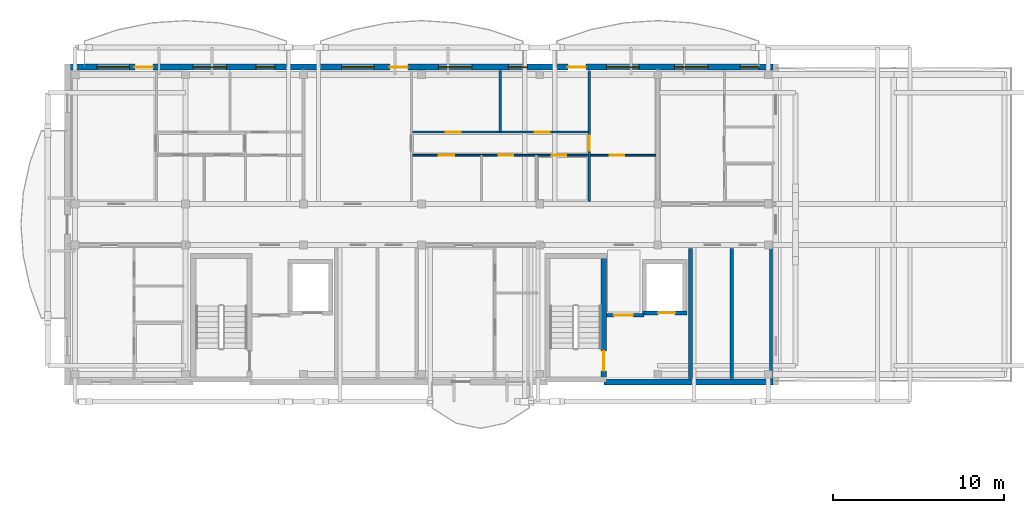
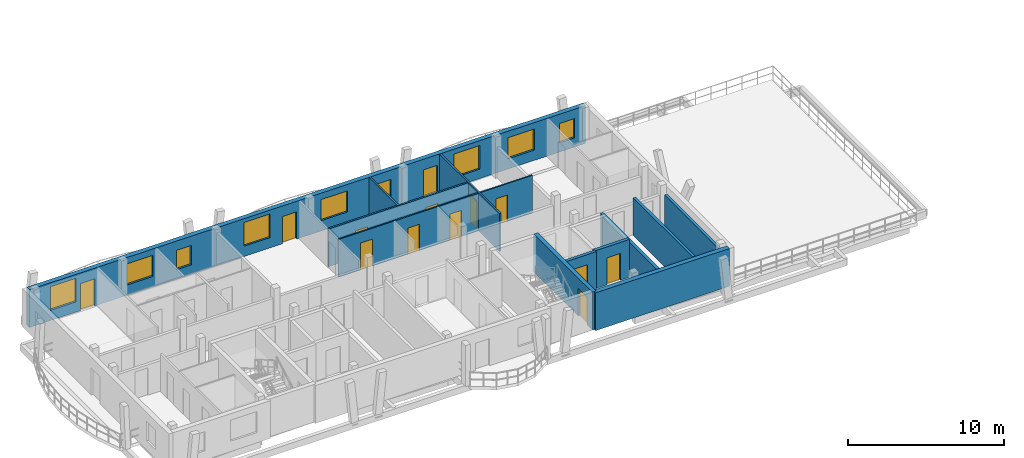
# One storey, part 22 of 42: 13 doors, 12 walls, 9 windows, 22 openings.
"""IFC4 building model written with IfcOpenShell, lengths in metres."""

import ifcopenshell
import ifcopenshell.guid

model = None  # the IFC model being written
_history = None  # IfcOwnerHistory: only IFC2X3 demands one
_inside = {}  # id of a spatial element -> (the spatial element, [elements in it])
_under = {}  # id of a project, library or spatial element -> (it, [spatial elements below it])
_declared = {}  # id of a project -> (the project, [libraries it declares])
_typed = {}  # id of a type object -> (the type object, [elements of that type])
_made_of = {}  # id of a material, layer set ... -> (it, [elements and type objects made of it])


def new_model(schema):
    """Start an empty IFC model of exactly this schema.

    Asked for "IFC4X3", IfcOpenShell would pick the latest addendum, in which some entities
    have other attributes; the version numbers below select the first issue.
    IFC2X3 requires an IfcOwnerHistory on every rooted entity: one is made here for all.
    """
    global model, _history
    if schema == "IFC4X3":
        model = ifcopenshell.file(schema_version=(4, 3, 0, 0))
    else:
        model = ifcopenshell.file(schema=schema)
    _inside.clear()
    _under.clear()
    _declared.clear()
    _typed.clear()
    _made_of.clear()
    _history = None
    if model.schema == "IFC2X3":
        org = make("IfcOrganization", Name="unknown")
        user = make(
            "IfcPersonAndOrganization",
            ThePerson=make("IfcPerson", FamilyName="unknown"),
            TheOrganization=org,
        )
        app = make(
            "IfcApplication",
            ApplicationDeveloper=org,
            Version="unknown",
            ApplicationFullName="unknown",
            ApplicationIdentifier="unknown",
        )
        _history = make(
            "IfcOwnerHistory",
            OwningUser=user,
            OwningApplication=app,
            ChangeAction="ADDED",
            CreationDate=0,
        )
    return model


def make(cls, **values):
    """One entity of the class cls with the attributes given. An attribute that is None is left unset."""
    return model.create_entity(
        cls, **{name: value for name, value in values.items() if value is not None}
    )


def rooted(cls, **values):
    """An entity with a GlobalId (a new one), such as an element, a storey or a relation."""
    return make(cls, GlobalId=ifcopenshell.guid.new(), OwnerHistory=_history, **values)


def si_unit(unit_type, name, prefix=None):
    """IfcSIUnit, for example si_unit("LENGTHUNIT", "METRE", prefix="MILLI")."""
    return make("IfcSIUnit", UnitType=unit_type, Prefix=prefix, Name=name)


def assignment(units):
    """IfcUnitAssignment: the units of a project."""
    return None if units is None else make("IfcUnitAssignment", Units=units)


def point(xyz):
    """IfcCartesianPoint."""
    return None if xyz is None else make("IfcCartesianPoint", Coordinates=xyz)


def direction(xyz):
    """IfcDirection."""
    return None if xyz is None else make("IfcDirection", DirectionRatios=xyz)


def frame(location, z_axis=None, x_axis=None):
    """IfcAxis2Placement3D, a coordinate frame: its origin and axes. An axis left out is left unset."""
    return make(
        "IfcAxis2Placement3D",
        Location=point(location),
        Axis=direction(z_axis),
        RefDirection=direction(x_axis),
    )


def frame_2d(location, x_axis=None):
    """IfcAxis2Placement2D, a coordinate frame in the plane: its origin and x axis."""
    return make(
        "IfcAxis2Placement2D", Location=point(location), RefDirection=direction(x_axis)
    )


def origin():
    """The frame at (0, 0, 0) with its axes left unset."""
    return frame((0.0, 0.0, 0.0))


def origin_with_axes():
    """The frame at (0, 0, 0) with the z axis (0, 0, 1) and the x axis (1, 0, 0) written out."""
    return frame((0.0, 0.0, 0.0), z_axis=(0.0, 0.0, 1.0), x_axis=(1.0, 0.0, 0.0))


def place(relative_to, where):
    """IfcLocalPlacement: puts the frame where relative to a parent placement (None: the world)."""
    return make(
        "IfcLocalPlacement", PlacementRelTo=relative_to, RelativePlacement=where
    )


def context(
    kind, dimensions, precision=None, world=None, true_north=None, identifier=None
):
    """IfcGeometricRepresentationContext, for example the 3D "Model" context."""
    return make(
        "IfcGeometricRepresentationContext",
        ContextIdentifier=identifier,
        ContextType=kind,
        CoordinateSpaceDimension=dimensions,
        Precision=precision,
        WorldCoordinateSystem=world,
        TrueNorth=true_north,
    )


def subcontext(parent, identifier, kind, view, scale=None):
    """IfcGeometricRepresentationSubContext, for example "Body" below "Model"."""
    return make(
        "IfcGeometricRepresentationSubContext",
        ContextIdentifier=identifier,
        ContextType=kind,
        ParentContext=parent,
        TargetScale=scale,
        TargetView=view,
    )


def project(units=None, contexts=None):
    """IfcProject with its units and contexts."""
    return rooted(
        "IfcProject",
        Name="project",
        RepresentationContexts=contexts,
        UnitsInContext=assignment(units),
    )


def spatial(cls, under=None, at=None, **own):
    """A site, building, storey or space (cls), placed at a placement, below another one or the project."""
    s = rooted(cls, ObjectPlacement=at, **own)
    if under is not None:
        _under.setdefault(under.id(), (under, []))[1].append(s)
    return s


def profile(cls, at=None, kind="AREA", **sizes):
    """A parametric profile (cls). Its sizes go by their IFC names, for example OverallWidth=200.0."""
    return make(cls, ProfileType=kind, Position=at, **sizes)


def rectangle(**sizes):
    """IfcRectangleProfileDef."""
    return profile("IfcRectangleProfileDef", **sizes)


def extrude(swept, where, along, depth):
    """IfcExtrudedAreaSolid: the profile swept, set in the frame where, extruded along a direction by depth."""
    return make(
        "IfcExtrudedAreaSolid",
        SweptArea=swept,
        Position=where,
        ExtrudedDirection=direction(along),
        Depth=depth,
    )


def shape(context_of_items, identifier, shape_type, items):
    """IfcShapeRepresentation: the items that make up one representation, for example the "Body"."""
    return make(
        "IfcShapeRepresentation",
        ContextOfItems=context_of_items,
        RepresentationIdentifier=identifier,
        RepresentationType=shape_type,
        Items=items,
    )


def material(Name=None, Category=None):
    """IfcMaterial."""
    return make("IfcMaterial", Name=Name, Category=Category)


def layer(
    of_material, thickness, ventilated=None, Name=None, Category=None, Priority=None
):
    """IfcMaterialLayer: one layer of a wall or slab, of a material (None: an air gap)."""
    return make(
        "IfcMaterialLayer",
        Material=of_material,
        LayerThickness=thickness,
        IsVentilated=ventilated,
        Name=Name,
        Category=Category,
        Priority=Priority,
    )


def layer_set(layers, Name=None):
    """IfcMaterialLayerSet."""
    return make("IfcMaterialLayerSet", MaterialLayers=layers, LayerSetName=Name)


def made_of(thing, what):
    """Note that an element or type object is made of a material, layer set ...; save() writes the relation."""
    if what is not None:
        _made_of.setdefault(what.id(), (what, []))[1].append(thing)
    return thing


def type_object(cls, material=None, **own):
    """A type object (cls), such as IfcWallType, which elements share."""
    return made_of(rooted(cls, **own), material)


def element(
    cls,
    number,
    at=None,
    inside=None,
    cuts=None,
    type_object=None,
    material=None,
    context=None,
    identifier="Body",
    shape_type=None,
    held_by="IfcProductDefinitionShape",
    body=None,
    shapes=None,
    **own,
):
    """One element of the class cls, such as IfcWall. Its Tag is "e" and its number.

    at: its placement. inside: the storey or other place that contains it. cuts: it is an
    opening in that element (IfcRelVoidsElement). A single representation is given by context,
    identifier, shape_type and body (its items); several are given by shapes. held_by: the class
    of the entity that holds the representations. save() writes the other relations.
    """
    e = rooted(cls, Tag="e%d" % number, ObjectPlacement=at, **own)
    if body is not None:
        shapes = [shape(context, identifier, shape_type, body)]
    if shapes is not None:
        e.Representation = make(held_by, Representations=shapes)
    if inside is not None:
        _inside.setdefault(inside.id(), (inside, []))[1].append(e)
    if cuts is not None:
        rooted(
            "IfcRelVoidsElement", RelatingBuildingElement=cuts, RelatedOpeningElement=e
        )
    if type_object is not None:
        _typed.setdefault(type_object.id(), (type_object, []))[1].append(e)
    return made_of(e, material)


def fill(opening, filler):
    """IfcRelFillsElement: the door or window that sits in an opening."""
    return rooted(
        "IfcRelFillsElement",
        RelatingOpeningElement=opening,
        RelatedBuildingElement=filler,
    )


def aggregate(whole, parts):
    """IfcRelAggregates: a whole, such as a stair, and the parts it consists of."""
    return rooted("IfcRelAggregates", RelatingObject=whole, RelatedObjects=parts)


def save(model, path):
    """Write the relations noted so far, then the file.

    IfcRelAggregates (storeys below a building ...), IfcRelContainedInSpatialStructure (elements
    in a storey), IfcRelDefinesByType, IfcRelAssociatesMaterial and IfcRelDeclares: one each for
    every whole, place, type object, material and project.
    """
    for whole, parts in _under.values():
        aggregate(whole, parts)
    for where, things in _inside.values():
        rooted(
            "IfcRelContainedInSpatialStructure",
            RelatedElements=things,
            RelatingStructure=where,
        )
    for kind, things in _typed.values():
        rooted("IfcRelDefinesByType", RelatedObjects=things, RelatingType=kind)
    for what, things in _made_of.values():
        rooted("IfcRelAssociatesMaterial", RelatedObjects=things, RelatingMaterial=what)
    for by, libraries in _declared.values():
        rooted("IfcRelDeclares", RelatingContext=by, RelatedDefinitions=libraries)
    model.write(path)


model = new_model("IFC4")

# Units and contexts
model_context = context("Model", 3, precision=1e-05, world=origin(), true_north=direction((0.0, 1.0)))
body_context = subcontext(model_context, "Body", "Model", "MODEL_VIEW")
ifc_project = project(units=[si_unit("LENGTHUNIT", "METRE"), si_unit("AREAUNIT", "SQUARE_METRE"), si_unit("VOLUMEUNIT", "CUBIC_METRE"), si_unit("PLANEANGLEUNIT", "RADIAN"), si_unit("MASSUNIT", "GRAM", prefix="KILO")], contexts=[model_context])

# Site, building, storey
site_placement = place(None, origin())
site = spatial("IfcSite", under=ifc_project, at=site_placement, CompositionType="ELEMENT")
building_placement = place(site_placement, origin())
building = spatial("IfcBuilding", under=site, at=building_placement, Name="Zavelmont Quarter", CompositionType="ELEMENT")
storey_placement = place(building_placement, frame((0.0, 0.0, 24.0)))
storey = spatial("IfcBuildingStorey", under=building, at=storey_placement, Name="L07", CompositionType="ELEMENT", Elevation=24.0)

# Wall
ifc_material_1 = material(Name="Natural Belgian limestone", Category="masonry")
ifc_layer_1 = layer(ifc_material_1, 0.340087890625)
ifc_layer_set_1 = layer_set([ifc_layer_1], Name="Natural Belgian limestone")
wall_type_1 = type_object("IfcWallType", Name="EW03", PredefinedType="STANDARD", material=ifc_layer_set_1)
wall_1_placement = place(storey_placement, frame((31.35009765625, 97.60009765625, 0.0), z_axis=(0.0, 0.0, 1.0), x_axis=(1.0, 0.0, 0.0)))
element("IfcWall", 1, at=wall_1_placement, inside=storey, type_object=wall_type_1, Name="L07 exterior limestone wall EW03", PredefinedType="STANDARD", context=body_context, shape_type="SweptSolid", body=[
    extrude(rectangle(XDim=9.889892578125, YDim=0.340087890625, at=frame_2d((4.94482421875, 0.0))), origin(), (0.0, 0.0, 1.0), 2.949951171875),
])

# Wall, openings, doors, windows
wall_2_placement = place(storey_placement, frame((0.159912109375, 116.0, 0.0), z_axis=(0.0, 0.0, 1.0), x_axis=(1.0, 0.0, 0.0)))
wall_2 = element("IfcWall", 2, at=wall_2_placement, inside=storey, type_object=wall_type_1, Name="L07 exterior limestone wall EW03", PredefinedType="STANDARD", context=body_context, shape_type="SweptSolid", body=[
    extrude(rectangle(XDim=41.080078125, YDim=0.340087890625, at=frame_2d((20.5400390625, 0.0))), origin(), (0.0, 0.0, 1.0), 2.949951171875),
])
opening_1_placement = place(wall_2_placement, frame((3.788818359375, 0.0, 0.0)))
opening_1 = element("IfcOpeningElement", 3, at=opening_1_placement, cuts=wall_2, Name="Opening DR04A", PredefinedType="OPENING", context=body_context, shape_type="SweptSolid", body=[
    extrude(rectangle(XDim=1.050048828125, YDim=2.1201171875, at=frame_2d((0.52490234375, 1.06005859375))), frame((0.0, 0.18212890625, 0.0), z_axis=(0.0, -1.0, 0.0), x_axis=(1.0, 0.0, 0.0)), (0.0, 0.0, 1.0), 0.364013671875),
])
opening_2_placement = place(wall_2_placement, frame((18.68896484375, 0.0, 0.0)))
opening_2 = element("IfcOpeningElement", 4, at=opening_2_placement, cuts=wall_2, Name="Opening DR04A", PredefinedType="OPENING", context=body_context, shape_type="SweptSolid", body=[
    extrude(rectangle(XDim=1.050048828125, YDim=2.1201171875, at=frame_2d((0.52490234375, 1.06005859375))), frame((0.0, 0.18212890625, 0.0), z_axis=(0.0, -1.0, 0.0), x_axis=(1.0, 0.0, 0.0)), (0.0, 0.0, 1.0), 0.364013671875),
])
opening_3_placement = place(wall_2_placement, frame((29.0888671875, 0.0, 0.0)))
opening_3 = element("IfcOpeningElement", 5, at=opening_3_placement, cuts=wall_2, Name="Opening DR04A", PredefinedType="OPENING", context=body_context, shape_type="SweptSolid", body=[
    extrude(rectangle(XDim=1.050048828125, YDim=2.1201171875, at=frame_2d((0.52490234375, 1.06005859375))), frame((0.0, 0.18212890625, 0.0), z_axis=(0.0, -1.0, 0.0), x_axis=(1.0, 0.0, 0.0)), (0.0, 0.0, 1.0), 0.364013671875),
])
opening_4_placement = place(wall_2_placement, frame((1.56005859375, 0.0, 0.800048828125)))
opening_4 = element("IfcOpeningElement", 6, at=opening_4_placement, cuts=wall_2, Name="Opening WN20", PredefinedType="OPENING", context=body_context, shape_type="SweptSolid", body=[
    extrude(rectangle(XDim=1.89990234375, YDim=1.85009765625, at=frame_2d((0.949951171875, 0.925048828125))), frame((0.0, 0.18212890625, 0.0), z_axis=(0.0, -1.0, 0.0), x_axis=(1.0, 0.0, 0.0)), (0.0, 0.0, 1.0), 0.364013671875),
])
opening_5_placement = place(wall_2_placement, frame((7.1923828125, 0.0, 0.800048828125)))
opening_5 = element("IfcOpeningElement", 7, at=opening_5_placement, cuts=wall_2, Name="Opening WN24", PredefinedType="OPENING", context=body_context, shape_type="SweptSolid", body=[
    extrude(rectangle(XDim=1.949951171875, YDim=1.64990234375, at=frame_2d((0.97509765625, 0.824951171875))), frame((0.0, 0.18212890625, 0.0), z_axis=(0.0, -1.0, 0.0), x_axis=(1.0, 0.0, 0.0)), (0.0, 0.0, 1.0), 0.364013671875),
])
opening_6_placement = place(wall_2_placement, frame((10.860107421875, 0.0, 0.719970703125)))
opening_6 = element("IfcOpeningElement", 8, at=opening_6_placement, cuts=wall_2, Name="Opening WN09", PredefinedType="OPENING", context=body_context, shape_type="SweptSolid", body=[
    extrude(rectangle(XDim=1.10009765625, YDim=1.5, at=frame_2d((0.550048828125, 0.75))), frame((0.0, 0.18212890625, 0.0), z_axis=(0.0, -1.0, 0.0), x_axis=(1.0, 0.0, 0.0)), (0.0, 0.0, 1.0), 0.364013671875),
])
opening_7_placement = place(wall_2_placement, frame((15.860107421875, 0.0, 0.800048828125)))
opening_7 = element("IfcOpeningElement", 9, at=opening_7_placement, cuts=wall_2, Name="Opening WN20", PredefinedType="OPENING", context=body_context, shape_type="SweptSolid", body=[
    extrude(rectangle(XDim=1.89990234375, YDim=1.85009765625, at=frame_2d((0.949951171875, 0.925048828125))), frame((0.0, 0.18212890625, 0.0), z_axis=(0.0, -1.0, 0.0), x_axis=(1.0, 0.0, 0.0)), (0.0, 0.0, 1.0), 0.364013671875),
])
opening_8_placement = place(wall_2_placement, frame((21.534912109375, 0.0, 0.800048828125)))
opening_8 = element("IfcOpeningElement", 10, at=opening_8_placement, cuts=wall_2, Name="Opening WN24", PredefinedType="OPENING", context=body_context, shape_type="SweptSolid", body=[
    extrude(rectangle(XDim=1.949951171875, YDim=1.64990234375, at=frame_2d((0.97509765625, 0.824951171875))), frame((0.0, 0.18212890625, 0.0), z_axis=(0.0, -1.0, 0.0), x_axis=(1.0, 0.0, 0.0)), (0.0, 0.0, 1.0), 0.364013671875),
])
opening_9_placement = place(wall_2_placement, frame((25.610107421875, 0.0, 0.719970703125)))
opening_9 = element("IfcOpeningElement", 11, at=opening_9_placement, cuts=wall_2, Name="Opening WN09", PredefinedType="OPENING", context=body_context, shape_type="SweptSolid", body=[
    extrude(rectangle(XDim=1.10009765625, YDim=1.5, at=frame_2d((0.550048828125, 0.75))), frame((0.0, 0.18212890625, 0.0), z_axis=(0.0, -1.0, 0.0), x_axis=(1.0, 0.0, 0.0)), (0.0, 0.0, 1.0), 0.364013671875),
])
opening_10_placement = place(wall_2_placement, frame((31.360107421875, 0.0, 0.719970703125)))
opening_10 = element("IfcOpeningElement", 12, at=opening_10_placement, cuts=wall_2, Name="Opening WN20", PredefinedType="OPENING", context=body_context, shape_type="SweptSolid", body=[
    extrude(rectangle(XDim=1.89990234375, YDim=1.85009765625, at=frame_2d((0.949951171875, 0.925048828125))), frame((0.0, 0.18212890625, 0.0), z_axis=(0.0, -1.0, 0.0), x_axis=(1.0, 0.0, 0.0)), (0.0, 0.0, 1.0), 0.364013671875),
])
opening_11_placement = place(wall_2_placement, frame((35.3349609375, 0.0, 0.800048828125)))
opening_11 = element("IfcOpeningElement", 13, at=opening_11_placement, cuts=wall_2, Name="Opening WN24", PredefinedType="OPENING", context=body_context, shape_type="SweptSolid", body=[
    extrude(rectangle(XDim=1.949951171875, YDim=1.64990234375, at=frame_2d((0.97509765625, 0.824951171875))), frame((0.0, 0.18212890625, 0.0), z_axis=(0.0, -1.0, 0.0), x_axis=(1.0, 0.0, 0.0)), (0.0, 0.0, 1.0), 0.364013671875),
])
opening_12_placement = place(wall_2_placement, frame((39.159912109375, 0.0, 0.719970703125)))
opening_12 = element("IfcOpeningElement", 14, at=opening_12_placement, cuts=wall_2, Name="Opening WN09", PredefinedType="OPENING", context=body_context, shape_type="SweptSolid", body=[
    extrude(rectangle(XDim=1.10009765625, YDim=1.5, at=frame_2d((0.550048828125, 0.75))), frame((0.0, 0.18212890625, 0.0), z_axis=(0.0, -1.0, 0.0), x_axis=(1.0, 0.0, 0.0)), (0.0, 0.0, 1.0), 0.364013671875),
])
ifc_material_2 = material(Name="Thermally broken aluminium and double safety glass", Category="aluminium")
door_type_1 = type_object("IfcDoorType", Name="DR04A", OperationType="NOTDEFINED", PredefinedType="DOOR", material=ifc_material_2)
door_1_placement = place(opening_1_placement, frame((1.050048828125, 0.0, 0.0), z_axis=(0.0, 0.0, 1.0), x_axis=(-1.0, 0.0, 0.0)))
door_1 = element("IfcDoor", 15, at=door_1_placement, inside=storey, type_object=door_type_1, Name="Block B L07 glazed balcony door", OperationType="SINGLE_SWING_LEFT", OverallHeight=2.1201171875, OverallWidth=1.050048828125, PredefinedType="DOOR", context=body_context, shape_type="SweptSolid", body=[
    extrude(rectangle(XDim=1.050048828125, YDim=2.1201171875, at=frame_2d((0.52490234375, 1.06005859375))), frame((0.0, 0.02490234375, 0.0), z_axis=(0.0, -1.0, 0.0), x_axis=(1.0, 0.0, 0.0)), (0.0, 0.0, 1.0), 0.050048828125),
])
fill(opening_1, door_1)
door_2_placement = place(opening_2_placement, frame((1.050048828125, 0.0, 0.0), z_axis=(0.0, 0.0, 1.0), x_axis=(-1.0, 0.0, 0.0)))
door_2 = element("IfcDoor", 16, at=door_2_placement, inside=storey, type_object=door_type_1, Name="Block B L07 glazed balcony door", OperationType="SINGLE_SWING_LEFT", OverallHeight=2.1201171875, OverallWidth=1.050048828125, PredefinedType="DOOR", context=body_context, shape_type="SweptSolid", body=[
    extrude(rectangle(XDim=1.050048828125, YDim=2.1201171875, at=frame_2d((0.52490234375, 1.06005859375))), frame((0.0, 0.02490234375, 0.0), z_axis=(0.0, -1.0, 0.0), x_axis=(1.0, 0.0, 0.0)), (0.0, 0.0, 1.0), 0.050048828125),
])
fill(opening_2, door_2)
door_3_placement = place(opening_3_placement, frame((1.050048828125, 0.0, 0.0), z_axis=(0.0, 0.0, 1.0), x_axis=(-1.0, 0.0, 0.0)))
door_3 = element("IfcDoor", 17, at=door_3_placement, inside=storey, type_object=door_type_1, Name="Block B L07 glazed balcony door", OperationType="SINGLE_SWING_LEFT", OverallHeight=2.1201171875, OverallWidth=1.050048828125, PredefinedType="DOOR", context=body_context, shape_type="SweptSolid", body=[
    extrude(rectangle(XDim=1.050048828125, YDim=2.1201171875, at=frame_2d((0.52490234375, 1.06005859375))), frame((0.0, 0.02490234375, 0.0), z_axis=(0.0, -1.0, 0.0), x_axis=(1.0, 0.0, 0.0)), (0.0, 0.0, 1.0), 0.050048828125),
])
fill(opening_3, door_3)
ifc_material_3 = material(Name="Double low-E insulated glazing in thermally broken aluminium frame", Category="aluminium")
window_type_1 = type_object("IfcWindowType", Name="WN09", PartitioningType="SINGLE_PANEL", PredefinedType="WINDOW", material=ifc_material_3)
window_1_placement = place(opening_6_placement, origin_with_axes())
window_1 = element("IfcWindow", 18, at=window_1_placement, inside=storey, type_object=window_type_1, Name="L07 window WN09", OverallHeight=1.5, OverallWidth=1.10009765625, PartitioningType="SINGLE_PANEL", PredefinedType="WINDOW", context=body_context, shape_type="SweptSolid", body=[
    extrude(rectangle(XDim=1.10009765625, YDim=1.5, at=frame_2d((0.550048828125, 0.75))), frame((0.0, 0.030029296875, 0.0), z_axis=(0.0, -1.0, 0.0), x_axis=(1.0, 0.0, 0.0)), (0.0, 0.0, 1.0), 0.06005859375),
])
fill(opening_6, window_1)
window_2_placement = place(opening_9_placement, origin_with_axes())
window_2 = element("IfcWindow", 19, at=window_2_placement, inside=storey, type_object=window_type_1, Name="L07 window WN09", OverallHeight=1.5, OverallWidth=1.10009765625, PartitioningType="SINGLE_PANEL", PredefinedType="WINDOW", context=body_context, shape_type="SweptSolid", body=[
    extrude(rectangle(XDim=1.10009765625, YDim=1.5, at=frame_2d((0.550048828125, 0.75))), frame((0.0, 0.030029296875, 0.0), z_axis=(0.0, -1.0, 0.0), x_axis=(1.0, 0.0, 0.0)), (0.0, 0.0, 1.0), 0.06005859375),
])
fill(opening_9, window_2)
window_3_placement = place(opening_12_placement, origin_with_axes())
window_3 = element("IfcWindow", 20, at=window_3_placement, inside=storey, type_object=window_type_1, Name="L07 window WN09", OverallHeight=1.5, OverallWidth=1.10009765625, PartitioningType="SINGLE_PANEL", PredefinedType="WINDOW", context=body_context, shape_type="SweptSolid", body=[
    extrude(rectangle(XDim=1.10009765625, YDim=1.5, at=frame_2d((0.550048828125, 0.75))), frame((0.0, 0.030029296875, 0.0), z_axis=(0.0, -1.0, 0.0), x_axis=(1.0, 0.0, 0.0)), (0.0, 0.0, 1.0), 0.06005859375),
])
fill(opening_12, window_3)
window_type_2 = type_object("IfcWindowType", Name="WN20", PartitioningType="SINGLE_PANEL", PredefinedType="WINDOW", material=ifc_material_3)
window_4_placement = place(opening_4_placement, origin_with_axes())
window_4 = element("IfcWindow", 21, at=window_4_placement, inside=storey, type_object=window_type_2, Name="L07 window WN20", OverallHeight=1.85009765625, OverallWidth=1.89990234375, PartitioningType="SINGLE_PANEL", PredefinedType="WINDOW", context=body_context, shape_type="SweptSolid", body=[
    extrude(rectangle(XDim=1.89990234375, YDim=1.85009765625, at=frame_2d((0.949951171875, 0.925048828125))), frame((0.0, 0.030029296875, 0.0), z_axis=(0.0, -1.0, 0.0), x_axis=(1.0, 0.0, 0.0)), (0.0, 0.0, 1.0), 0.06005859375),
])
fill(opening_4, window_4)
window_5_placement = place(opening_7_placement, origin_with_axes())
window_5 = element("IfcWindow", 22, at=window_5_placement, inside=storey, type_object=window_type_2, Name="L07 window WN20", OverallHeight=1.85009765625, OverallWidth=1.89990234375, PartitioningType="SINGLE_PANEL", PredefinedType="WINDOW", context=body_context, shape_type="SweptSolid", body=[
    extrude(rectangle(XDim=1.89990234375, YDim=1.85009765625, at=frame_2d((0.949951171875, 0.925048828125))), frame((0.0, 0.030029296875, 0.0), z_axis=(0.0, -1.0, 0.0), x_axis=(1.0, 0.0, 0.0)), (0.0, 0.0, 1.0), 0.06005859375),
])
fill(opening_7, window_5)
window_6_placement = place(opening_10_placement, origin_with_axes())
window_6 = element("IfcWindow", 23, at=window_6_placement, inside=storey, type_object=window_type_2, Name="L07 window WN20", OverallHeight=1.85009765625, OverallWidth=1.89990234375, PartitioningType="SINGLE_PANEL", PredefinedType="WINDOW", context=body_context, shape_type="SweptSolid", body=[
    extrude(rectangle(XDim=1.89990234375, YDim=1.85009765625, at=frame_2d((0.949951171875, 0.925048828125))), frame((0.0, 0.030029296875, 0.0), z_axis=(0.0, -1.0, 0.0), x_axis=(1.0, 0.0, 0.0)), (0.0, 0.0, 1.0), 0.06005859375),
])
fill(opening_10, window_6)
window_type_3 = type_object("IfcWindowType", Name="WN24", PartitioningType="SINGLE_PANEL", PredefinedType="WINDOW", material=ifc_material_3)
window_7_placement = place(opening_5_placement, origin_with_axes())
window_7 = element("IfcWindow", 24, at=window_7_placement, inside=storey, type_object=window_type_3, Name="L07 window WN24", OverallHeight=1.64990234375, OverallWidth=1.949951171875, PartitioningType="SINGLE_PANEL", PredefinedType="WINDOW", context=body_context, shape_type="SweptSolid", body=[
    extrude(rectangle(XDim=1.949951171875, YDim=1.64990234375, at=frame_2d((0.97509765625, 0.824951171875))), frame((0.0, 0.030029296875, 0.0), z_axis=(0.0, -1.0, 0.0), x_axis=(1.0, 0.0, 0.0)), (0.0, 0.0, 1.0), 0.06005859375),
])
fill(opening_5, window_7)
window_8_placement = place(opening_8_placement, origin_with_axes())
window_8 = element("IfcWindow", 25, at=window_8_placement, inside=storey, type_object=window_type_3, Name="L07 window WN24", OverallHeight=1.64990234375, OverallWidth=1.949951171875, PartitioningType="SINGLE_PANEL", PredefinedType="WINDOW", context=body_context, shape_type="SweptSolid", body=[
    extrude(rectangle(XDim=1.949951171875, YDim=1.64990234375, at=frame_2d((0.97509765625, 0.824951171875))), frame((0.0, 0.030029296875, 0.0), z_axis=(0.0, -1.0, 0.0), x_axis=(1.0, 0.0, 0.0)), (0.0, 0.0, 1.0), 0.06005859375),
])
fill(opening_8, window_8)
window_9_placement = place(opening_11_placement, origin_with_axes())
window_9 = element("IfcWindow", 26, at=window_9_placement, inside=storey, type_object=window_type_3, Name="L07 window WN24", OverallHeight=1.64990234375, OverallWidth=1.949951171875, PartitioningType="SINGLE_PANEL", PredefinedType="WINDOW", context=body_context, shape_type="SweptSolid", body=[
    extrude(rectangle(XDim=1.949951171875, YDim=1.64990234375, at=frame_2d((0.97509765625, 0.824951171875))), frame((0.0, 0.030029296875, 0.0), z_axis=(0.0, -1.0, 0.0), x_axis=(1.0, 0.0, 0.0)), (0.0, 0.0, 1.0), 0.06005859375),
])
fill(opening_11, window_9)

# Walls
ifc_material_4 = material(Name="Calcium-silicate blockwork and acoustic plaster", Category="masonry")
ifc_layer_2 = layer(ifc_material_4, 0.199951171875)
ifc_layer_set_2 = layer_set([ifc_layer_2], Name="Calcium-silicate blockwork and acoustic plaster")
wall_type_2 = type_object("IfcWallType", Name="IW01", PredefinedType="PARTITIONING", material=ifc_layer_set_2)
wall_3_placement = place(storey_placement, frame((38.824951171875, 97.800048828125, 0.0), z_axis=(0.0, 0.0, 1.0), x_axis=(0.0, 1.0, 0.0)))
element("IfcWall", 27, at=wall_3_placement, inside=storey, type_object=wall_type_2, Name="L07 Service riser divider wall IW01", PredefinedType="PARTITIONING", context=body_context, shape_type="SweptSolid", body=[
    extrude(rectangle(XDim=7.599853515625, YDim=0.199951171875, at=frame_2d((3.7998046875, 0.0))), origin(), (0.0, 0.0, 1.0), 2.949951171875),
])
wall_4_placement = place(storey_placement, frame((41.1201171875, 97.800048828125, 0.0), z_axis=(0.0, 0.0, 1.0), x_axis=(0.0, 1.0, 0.0)))
element("IfcWall", 28, at=wall_4_placement, inside=storey, type_object=wall_type_2, Name="L07 Core service end wall IW01", PredefinedType="PARTITIONING", context=body_context, shape_type="SweptSolid", body=[
    extrude(rectangle(XDim=7.599853515625, YDim=0.199951171875, at=frame_2d((3.7998046875, 0.0))), origin(), (0.0, 0.0, 1.0), 2.389892578125),
])
ifc_material_5 = material(Name="Reinforced masonry fire compartment wall", Category="masonry")
ifc_layer_3 = layer(ifc_material_5, 0.22509765625)
ifc_layer_set_3 = layer_set([ifc_layer_3], Name="Reinforced masonry fire compartment wall")
wall_type_3 = type_object("IfcWallType", Name="IW02", PredefinedType="PARTITIONING", material=ifc_layer_set_3)
wall_5_placement = place(storey_placement, frame((36.409912109375, 97.800048828125, 0.0), z_axis=(0.0, 0.0, 1.0), x_axis=(0.0, 1.0, 0.0)))
element("IfcWall", 29, at=wall_5_placement, inside=storey, type_object=wall_type_3, Name="L07 Firefighting lobby enclosure wall IW02", PredefinedType="PARTITIONING", context=body_context, shape_type="SweptSolid", body=[
    extrude(rectangle(XDim=7.599853515625, YDim=0.22509765625, at=frame_2d((3.7998046875, 0.0))), origin(), (0.0, 0.0, 1.0), 2.590087890625),
])

# Wall, opening, door
wall_6_placement = place(storey_placement, frame((31.5, 101.5, 0.0), z_axis=(0.0, 0.0, 1.0), x_axis=(1.0, 0.0, 0.0)))
wall_6 = element("IfcWall", 30, at=wall_6_placement, inside=storey, type_object=wall_type_3, Name="L07 Firefighting lobby threshold wall IW02", PredefinedType="PARTITIONING", context=body_context, shape_type="SweptSolid", body=[
    extrude(rectangle(XDim=2.199951171875, YDim=0.22509765625, at=frame_2d((1.10009765625, 0.0))), origin(), (0.0, 0.0, 1.0), 2.949951171875),
])
opening_13_placement = place(wall_6_placement, frame((0.449951171875, 0.0, 0.0)))
opening_13 = element("IfcOpeningElement", 31, at=opening_13_placement, cuts=wall_6, Name="Opening DR10", PredefinedType="OPENING", context=body_context, shape_type="SweptSolid", body=[
    extrude(rectangle(XDim=1.10009765625, YDim=2.14990234375, at=frame_2d((0.550048828125, 1.074951171875))), frame((0.0, 0.12451171875, 0.0), z_axis=(0.0, -1.0, 0.0), x_axis=(1.0, 0.0, 0.0)), (0.0, 0.0, 1.0), 0.2490234375),
])
ifc_material_6 = material(Name="Painted steel lobby fire door", Category="steel")
door_type_2 = type_object("IfcDoorType", Name="DR10", OperationType="NOTDEFINED", PredefinedType="DOOR", material=ifc_material_6)
door_4_placement = place(opening_13_placement, frame((1.10009765625, 0.0, 0.0), z_axis=(0.0, 0.0, 1.0), x_axis=(-1.0, 0.0, 0.0)))
door_4 = element("IfcDoor", 32, at=door_4_placement, inside=storey, type_object=door_type_2, Name="Firefighting lobby fire door", OperationType="SINGLE_SWING_RIGHT", OverallHeight=2.14990234375, OverallWidth=1.10009765625, PredefinedType="DOOR", context=body_context, shape_type="SweptSolid", body=[
    extrude(rectangle(XDim=1.10009765625, YDim=2.14990234375, at=frame_2d((0.550048828125, 1.074951171875))), frame((0.0, 0.02490234375, 0.0), z_axis=(0.0, -1.0, 0.0), x_axis=(1.0, 0.0, 0.0)), (0.0, 0.0, 1.0), 0.050048828125),
])
fill(opening_13, door_4)

# Wall
ifc_material_7 = material(Name="Double gypsum board on acoustic steel stud", Category="steel")
ifc_layer_4 = layer(ifc_material_7, 0.125)
ifc_layer_set_4 = layer_set([ifc_layer_4], Name="Double gypsum board on acoustic steel stud")
wall_type_4 = type_object("IfcWallType", Name="IW03", PredefinedType="PARTITIONING", material=ifc_layer_set_4)
wall_7_placement = place(storey_placement, frame((25.300048828125, 112.199951171875, 0.0), z_axis=(0.0, 0.0, 1.0), x_axis=(0.0, 1.0, 0.0)))
element("IfcWall", 33, at=wall_7_placement, inside=storey, type_object=wall_type_4, Name="L07 Partition IW03", PredefinedType="PARTITIONING", context=body_context, shape_type="SweptSolid", body=[
    extrude(rectangle(XDim=3.60009765625, YDim=0.125, at=frame_2d((1.800048828125, 0.0))), origin(), (0.0, 0.0, 1.0), 2.949951171875),
])

# Wall, opening, door
wall_8_placement = place(storey_placement, frame((30.5, 108.14990234375, 0.0), z_axis=(0.0, 0.0, 1.0), x_axis=(0.0, 1.0, 0.0)))
wall_8 = element("IfcWall", 34, at=wall_8_placement, inside=storey, type_object=wall_type_4, Name="L07 Partition IW03", PredefinedType="PARTITIONING", context=body_context, shape_type="SweptSolid", body=[
    extrude(rectangle(XDim=7.650146484375, YDim=0.125, at=frame_2d((3.8251953125, 0.0))), origin(), (0.0, 0.0, 1.0), 2.949951171875),
])
opening_14_placement = place(wall_8_placement, frame((2.949951171875, 0.0, 0.0)))
opening_14 = element("IfcOpeningElement", 35, at=opening_14_placement, cuts=wall_8, Name="Opening DR05", PredefinedType="OPENING", context=body_context, shape_type="SweptSolid", body=[
    extrude(rectangle(XDim=0.89990234375, YDim=2.10009765625, at=frame_2d((0.449951171875, 1.050048828125))), frame((0.0, 0.074462890625, 0.0), z_axis=(0.0, -1.0, 0.0), x_axis=(1.0, 0.0, 0.0)), (0.0, 0.0, 1.0), 0.14892578125),
])
ifc_material_8 = material(Name="Engineered oak flush interior door")
door_type_3 = type_object("IfcDoorType", Name="DR05", OperationType="NOTDEFINED", PredefinedType="DOOR", material=ifc_material_8)
door_5_placement = place(opening_14_placement, origin_with_axes())
door_5 = element("IfcDoor", 36, at=door_5_placement, inside=storey, type_object=door_type_3, Name="L07 door DR05", OperationType="SINGLE_SWING_LEFT", OverallHeight=2.10009765625, OverallWidth=0.89990234375, PredefinedType="DOOR", context=body_context, shape_type="SweptSolid", body=[
    extrude(rectangle(XDim=0.89990234375, YDim=2.10009765625, at=frame_2d((0.449951171875, 1.050048828125))), frame((0.0, 0.02490234375, 0.0), z_axis=(0.0, -1.0, 0.0), x_axis=(1.0, 0.0, 0.0)), (0.0, 0.0, 1.0), 0.050048828125),
])
fill(opening_14, door_5)

# Wall, openings, doors
wall_9_placement = place(storey_placement, frame((20.10009765625, 112.199951171875, 0.0), z_axis=(0.0, 0.0, 1.0), x_axis=(1.0, 0.0, 0.0)))
wall_9 = element("IfcWall", 37, at=wall_9_placement, inside=storey, type_object=wall_type_4, Name="L07 Partition IW03", PredefinedType="PARTITIONING", context=body_context, shape_type="SweptSolid", body=[
    extrude(rectangle(XDim=10.39990234375, YDim=0.125, at=frame_2d((5.199951171875, 0.0))), origin(), (0.0, 0.0, 1.0), 2.949951171875),
])
opening_15_placement = place(wall_9_placement, frame((2.0, 0.0, 0.0)))
opening_15 = element("IfcOpeningElement", 38, at=opening_15_placement, cuts=wall_9, Name="Opening DR05", PredefinedType="OPENING", context=body_context, shape_type="SweptSolid", body=[
    extrude(rectangle(XDim=0.89990234375, YDim=2.10009765625, at=frame_2d((0.449951171875, 1.050048828125))), frame((0.0, 0.074462890625, 0.0), z_axis=(0.0, -1.0, 0.0), x_axis=(1.0, 0.0, 0.0)), (0.0, 0.0, 1.0), 0.14892578125),
])
opening_16_placement = place(wall_9_placement, frame((7.199951171875, 0.0, 0.0)))
opening_16 = element("IfcOpeningElement", 39, at=opening_16_placement, cuts=wall_9, Name="Opening DR05", PredefinedType="OPENING", context=body_context, shape_type="SweptSolid", body=[
    extrude(rectangle(XDim=0.89990234375, YDim=2.10009765625, at=frame_2d((0.449951171875, 1.050048828125))), frame((0.0, 0.074462890625, 0.0), z_axis=(0.0, -1.0, 0.0), x_axis=(1.0, 0.0, 0.0)), (0.0, 0.0, 1.0), 0.14892578125),
])
door_6_placement = place(opening_15_placement, frame((0.89990234375, 0.0, 0.0), z_axis=(0.0, 0.0, 1.0), x_axis=(-1.0, 0.0, 0.0)))
door_6 = element("IfcDoor", 40, at=door_6_placement, inside=storey, type_object=door_type_3, Name="L07 door DR05", OperationType="SINGLE_SWING_RIGHT", OverallHeight=2.10009765625, OverallWidth=0.89990234375, PredefinedType="DOOR", context=body_context, shape_type="SweptSolid", body=[
    extrude(rectangle(XDim=0.89990234375, YDim=2.10009765625, at=frame_2d((0.449951171875, 1.050048828125))), frame((0.0, 0.02490234375, 0.0), z_axis=(0.0, -1.0, 0.0), x_axis=(1.0, 0.0, 0.0)), (0.0, 0.0, 1.0), 0.050048828125),
])
fill(opening_15, door_6)
door_7_placement = place(opening_16_placement, origin_with_axes())
door_7 = element("IfcDoor", 41, at=door_7_placement, inside=storey, type_object=door_type_3, Name="L07 door DR05", OperationType="SINGLE_SWING_LEFT", OverallHeight=2.10009765625, OverallWidth=0.89990234375, PredefinedType="DOOR", context=body_context, shape_type="SweptSolid", body=[
    extrude(rectangle(XDim=0.89990234375, YDim=2.10009765625, at=frame_2d((0.449951171875, 1.050048828125))), frame((0.0, 0.02490234375, 0.0), z_axis=(0.0, -1.0, 0.0), x_axis=(1.0, 0.0, 0.0)), (0.0, 0.0, 1.0), 0.050048828125),
])
fill(opening_16, door_7)

ifc_material_9 = material(Name="Moisture-resistant gypsum board on steel stud", Category="steel")
ifc_layer_5 = layer(ifc_material_9, 0.10009765625)
ifc_layer_set_5 = layer_set([ifc_layer_5], Name="Moisture-resistant gypsum board on steel stud")
wall_type_5 = type_object("IfcWallType", Name="IW04", PredefinedType="PARTITIONING", material=ifc_layer_set_5)
wall_10_placement = place(storey_placement, frame((20.10009765625, 110.85009765625, 0.0), z_axis=(0.0, 0.0, 1.0), x_axis=(1.0, 0.0, 0.0)))
wall_10 = element("IfcWall", 42, at=wall_10_placement, inside=storey, type_object=wall_type_5, Name="L07 Partition IW04", PredefinedType="PARTITIONING", context=body_context, shape_type="SweptSolid", body=[
    extrude(rectangle(XDim=14.2998046875, YDim=0.10009765625, at=frame_2d((7.14990234375, 0.0))), origin(), (0.0, 0.0, 1.0), 2.949951171875),
])
opening_17_placement = place(wall_10_placement, frame((1.60009765625, 0.0, 0.0)))
opening_17 = element("IfcOpeningElement", 43, at=opening_17_placement, cuts=wall_10, Name="Opening DR05", PredefinedType="OPENING", context=body_context, shape_type="SweptSolid", body=[
    extrude(rectangle(XDim=0.89990234375, YDim=2.10009765625, at=frame_2d((0.449951171875, 1.050048828125))), frame((0.0, 0.06201171875, 0.0), z_axis=(0.0, -1.0, 0.0), x_axis=(1.0, 0.0, 0.0)), (0.0, 0.0, 1.0), 0.1240234375),
])
opening_18_placement = place(wall_10_placement, frame((5.10009765625, 0.0, 0.0)))
opening_18 = element("IfcOpeningElement", 44, at=opening_18_placement, cuts=wall_10, Name="Opening DR06", PredefinedType="OPENING", context=body_context, shape_type="SweptSolid", body=[
    extrude(rectangle(XDim=0.85009765625, YDim=2.050048828125, at=frame_2d((0.425048828125, 1.02490234375))), frame((0.0, 0.06201171875, 0.0), z_axis=(0.0, -1.0, 0.0), x_axis=(1.0, 0.0, 0.0)), (0.0, 0.0, 1.0), 0.1240234375),
])
opening_19_placement = place(wall_10_placement, frame((8.199951171875, 0.0, 0.0)))
opening_19 = element("IfcOpeningElement", 45, at=opening_19_placement, cuts=wall_10, Name="Opening DR06", PredefinedType="OPENING", context=body_context, shape_type="SweptSolid", body=[
    extrude(rectangle(XDim=0.85009765625, YDim=2.050048828125, at=frame_2d((0.425048828125, 1.02490234375))), frame((0.0, 0.06201171875, 0.0), z_axis=(0.0, -1.0, 0.0), x_axis=(1.0, 0.0, 0.0)), (0.0, 0.0, 1.0), 0.1240234375),
])
opening_20_placement = place(wall_10_placement, frame((11.60009765625, 0.0, 0.0)))
opening_20 = element("IfcOpeningElement", 46, at=opening_20_placement, cuts=wall_10, Name="Opening DR06", PredefinedType="OPENING", context=body_context, shape_type="SweptSolid", body=[
    extrude(rectangle(XDim=0.85009765625, YDim=2.050048828125, at=frame_2d((0.425048828125, 1.02490234375))), frame((0.0, 0.06201171875, 0.0), z_axis=(0.0, -1.0, 0.0), x_axis=(1.0, 0.0, 0.0)), (0.0, 0.0, 1.0), 0.1240234375),
])
door_8_placement = place(opening_17_placement, frame((0.89990234375, 0.0, 0.0), z_axis=(0.0, 0.0, 1.0), x_axis=(-1.0, 0.0, 0.0)))
door_8 = element("IfcDoor", 47, at=door_8_placement, inside=storey, type_object=door_type_3, Name="L07 door DR05", OperationType="SINGLE_SWING_RIGHT", OverallHeight=2.10009765625, OverallWidth=0.89990234375, PredefinedType="DOOR", context=body_context, shape_type="SweptSolid", body=[
    extrude(rectangle(XDim=0.89990234375, YDim=2.10009765625, at=frame_2d((0.449951171875, 1.050048828125))), frame((0.0, 0.02490234375, 0.0), z_axis=(0.0, -1.0, 0.0), x_axis=(1.0, 0.0, 0.0)), (0.0, 0.0, 1.0), 0.050048828125),
])
fill(opening_17, door_8)
ifc_material_10 = material(Name="Moisture-resistant painted wet-room door")
door_type_4 = type_object("IfcDoorType", Name="DR06", OperationType="NOTDEFINED", PredefinedType="DOOR", material=ifc_material_10)
door_9_placement = place(opening_18_placement, origin_with_axes())
door_9 = element("IfcDoor", 48, at=door_9_placement, inside=storey, type_object=door_type_4, Name="L07 door DR06", OperationType="SINGLE_SWING_LEFT", OverallHeight=2.050048828125, OverallWidth=0.85009765625, PredefinedType="DOOR", context=body_context, shape_type="SweptSolid", body=[
    extrude(rectangle(XDim=0.85009765625, YDim=2.050048828125, at=frame_2d((0.425048828125, 1.02490234375))), frame((0.0, 0.02490234375, 0.0), z_axis=(0.0, -1.0, 0.0), x_axis=(1.0, 0.0, 0.0)), (0.0, 0.0, 1.0), 0.050048828125),
])
fill(opening_18, door_9)
door_10_placement = place(opening_19_placement, frame((0.85009765625, 0.0, 0.0), z_axis=(0.0, 0.0, 1.0), x_axis=(-1.0, 0.0, 0.0)))
door_10 = element("IfcDoor", 49, at=door_10_placement, inside=storey, type_object=door_type_4, Name="L07 door DR06", OperationType="SINGLE_SWING_RIGHT", OverallHeight=2.050048828125, OverallWidth=0.85009765625, PredefinedType="DOOR", context=body_context, shape_type="SweptSolid", body=[
    extrude(rectangle(XDim=0.85009765625, YDim=2.050048828125, at=frame_2d((0.425048828125, 1.02490234375))), frame((0.0, 0.02490234375, 0.0), z_axis=(0.0, -1.0, 0.0), x_axis=(1.0, 0.0, 0.0)), (0.0, 0.0, 1.0), 0.050048828125),
])
fill(opening_19, door_10)
door_11_placement = place(opening_20_placement, origin_with_axes())
door_11 = element("IfcDoor", 50, at=door_11_placement, inside=storey, type_object=door_type_4, Name="L07 door DR06", OperationType="SINGLE_SWING_LEFT", OverallHeight=2.050048828125, OverallWidth=0.85009765625, PredefinedType="DOOR", context=body_context, shape_type="SweptSolid", body=[
    extrude(rectangle(XDim=0.85009765625, YDim=2.050048828125, at=frame_2d((0.425048828125, 1.02490234375))), frame((0.0, 0.02490234375, 0.0), z_axis=(0.0, -1.0, 0.0), x_axis=(1.0, 0.0, 0.0)), (0.0, 0.0, 1.0), 0.050048828125),
])
fill(opening_20, door_11)

# Wall, opening, door
ifc_material_11 = material(Name="Concrete C40/50", Category="concrete")
ifc_layer_6 = layer(ifc_material_11, 0.300048828125)
ifc_layer_set_6 = layer_set([ifc_layer_6], Name="Concrete C40/50")
wall_type_6 = type_object("IfcWallType", Name="SW01", PredefinedType="SHEAR", material=ifc_layer_set_6)
wall_11_placement = place(storey_placement, frame((31.35009765625, 97.60009765625, 0.0), z_axis=(0.0, 0.0, 1.0), x_axis=(0.0, 1.0, 0.0)))
wall_11 = element("IfcWall", 51, at=wall_11_placement, inside=storey, type_object=wall_type_6, Name="L07 ST04 lobby shear wall SW01", PredefinedType="SHEAR", context=body_context, shape_type="SweptSolid", body=[
    extrude(rectangle(XDim=7.5, YDim=0.300048828125, at=frame_2d((3.75, 0.0))), origin(), (0.0, 0.0, 1.0), 2.949951171875),
])
opening_21_placement = place(wall_11_placement, frame((0.64990234375, 0.0, 0.0)))
opening_21 = element("IfcOpeningElement", 52, at=opening_21_placement, cuts=wall_11, Name="Opening DR09", PredefinedType="OPENING", context=body_context, shape_type="SweptSolid", body=[
    extrude(rectangle(XDim=1.14990234375, YDim=2.14990234375, at=frame_2d((0.574951171875, 1.074951171875))), frame((0.0, 0.162109375, 0.0), z_axis=(0.0, -1.0, 0.0), x_axis=(1.0, 0.0, 0.0)), (0.0, 0.0, 1.0), 0.323974609375),
])
ifc_material_12 = material(Name="Painted steel stair-core fire door", Category="steel")
door_type_5 = type_object("IfcDoorType", Name="DR09", OperationType="NOTDEFINED", PredefinedType="DOOR", material=ifc_material_12)
door_12_placement = place(opening_21_placement, origin_with_axes())
door_12 = element("IfcDoor", 53, at=door_12_placement, inside=storey, type_object=door_type_5, Name="ST04 protected stair door", OperationType="SINGLE_SWING_RIGHT", OverallHeight=2.14990234375, OverallWidth=1.14990234375, PredefinedType="DOOR", context=body_context, shape_type="SweptSolid", body=[
    extrude(rectangle(XDim=1.14990234375, YDim=2.14990234375, at=frame_2d((0.574951171875, 1.074951171875))), frame((0.0, 0.02490234375, 0.0), z_axis=(0.0, -1.0, 0.0), x_axis=(1.0, 0.0, 0.0)), (0.0, 0.0, 1.0), 0.050048828125),
])
fill(opening_21, door_12)

ifc_layer_7 = layer(ifc_material_11, 0.25)
ifc_layer_set_7 = layer_set([ifc_layer_7], Name="Concrete C40/50")
wall_type_7 = type_object("IfcWallType", Name="SW02", PredefinedType="SHEAR", material=ifc_layer_set_7)
wall_12_placement = place(storey_placement, frame((33.60009765625, 101.625, 0.0), z_axis=(0.0, 0.0, 1.0), x_axis=(1.0, 0.0, 0.0)))
wall_12 = element("IfcWall", 54, at=wall_12_placement, inside=storey, type_object=wall_type_7, Name="L07 Lift LF04 landing shaft wall SW02", PredefinedType="SHEAR", context=body_context, shape_type="SweptSolid", body=[
    extrude(rectangle(XDim=2.599853515625, YDim=0.25, at=frame_2d((1.2998046875, 0.0))), origin(), (0.0, 0.0, 1.0), 2.949951171875),
])
opening_22_placement = place(wall_12_placement, frame((0.925048828125, 0.0, 0.0)))
opening_22 = element("IfcOpeningElement", 55, at=opening_22_placement, cuts=wall_12, Name="Opening LD01", PredefinedType="OPENING", context=body_context, shape_type="SweptSolid", body=[
    extrude(rectangle(XDim=1.0, YDim=2.10009765625, at=frame_2d((0.5, 1.050048828125))), frame((0.0, 0.136962890625, 0.0), z_axis=(0.0, -1.0, 0.0), x_axis=(1.0, 0.0, 0.0)), (0.0, 0.0, 1.0), 0.27392578125),
])
ifc_material_13 = material(Name="Brushed stainless-steel automatic sliding landing door", Category="steel")
door_type_6 = type_object("IfcDoorType", Name="LD01", OperationType="SLIDING_TO_LEFT", PredefinedType="DOOR", material=ifc_material_13)
door_13_placement = place(opening_22_placement, origin_with_axes())
door_13 = element("IfcDoor", 56, at=door_13_placement, inside=storey, type_object=door_type_6, Name="Lift LF04 sliding landing door", OperationType="SLIDING_TO_LEFT", OverallHeight=2.10009765625, OverallWidth=1.0, PredefinedType="DOOR", context=body_context, shape_type="SweptSolid", body=[
    extrude(rectangle(XDim=1.0, YDim=2.10009765625, at=frame_2d((0.5, 1.050048828125))), frame((0.0, 0.02490234375, 0.0), z_axis=(0.0, -1.0, 0.0), x_axis=(1.0, 0.0, 0.0)), (0.0, 0.0, 1.0), 0.050048828125),
])
fill(opening_22, door_13)

save(model, "model.ifc")
